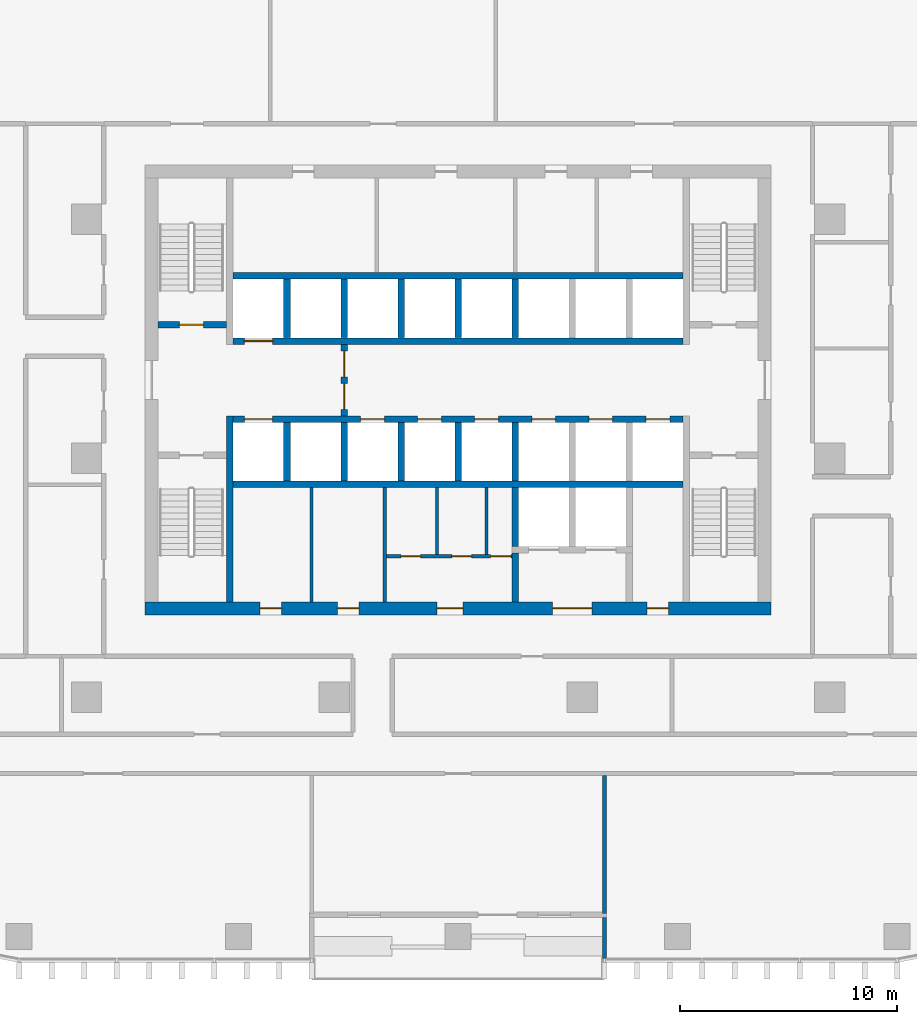
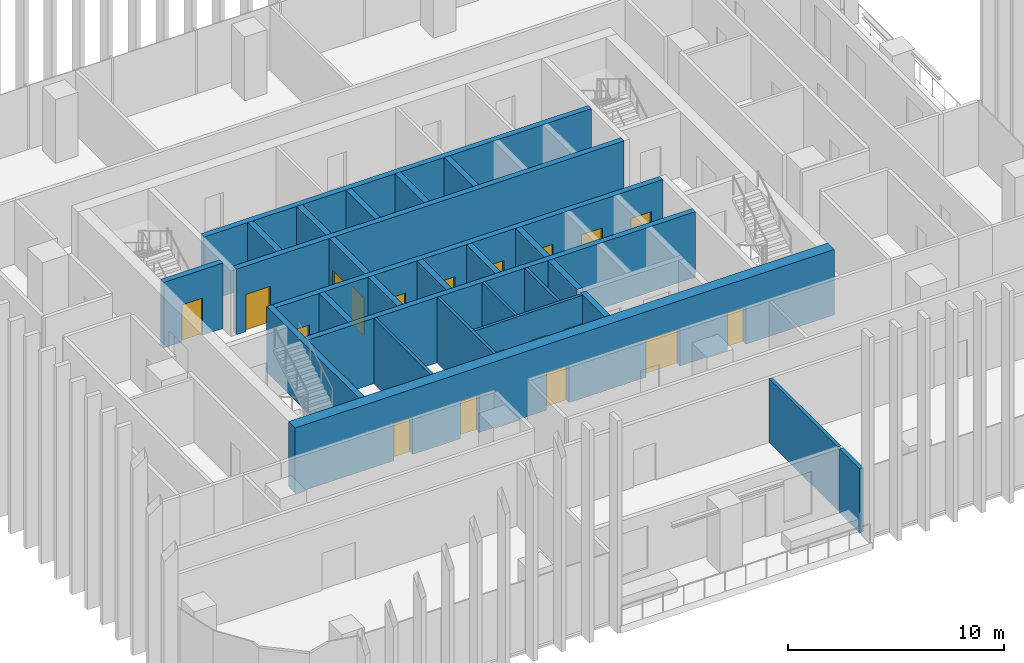
# One storey, part 8 of 15: 27 walls, 19 doors, 19 openings.
"""IFC4 building model written with IfcOpenShell, lengths in metres."""

from ifc_helpers import new_model, si_unit, direction, frame, frame_2d, origin, place, context, subcontext, project, spatial, rectangle, extrude, material, layer, layer_set, type_object, element, fill, save


model = new_model("IFC4")

# Units and contexts
model_context = context("Model", 3, precision=1e-05, world=origin(), true_north=direction((0.0, 1.0)))
body_context = subcontext(model_context, "Body", "Model", "MODEL_VIEW")
ifc_project = project(units=[si_unit("LENGTHUNIT", "METRE"), si_unit("AREAUNIT", "SQUARE_METRE"), si_unit("VOLUMEUNIT", "CUBIC_METRE"), si_unit("PLANEANGLEUNIT", "RADIAN"), si_unit("MASSUNIT", "GRAM", prefix="KILO")], contexts=[model_context])

# Site, building, storey
site_placement = place(None, origin())
site = spatial("IfcSite", under=ifc_project, at=site_placement, CompositionType="ELEMENT")
building_placement = place(site_placement, origin())
building = spatial("IfcBuilding", under=site, at=building_placement, Name="Mopane Tessera Tower", CompositionType="ELEMENT")
storey_placement = place(building_placement, frame((0.0, 0.0, 169.0)))
storey = spatial("IfcBuildingStorey", under=building, at=storey_placement, Name="L34", CompositionType="ELEMENT", Elevation=169.0)

# Walls
ifc_material_1 = material(Name="Fire-rated gypsum board partition")
ifc_layer_1 = layer(ifc_material_1, 0.14990234375)
ifc_layer_set_1 = layer_set([ifc_layer_1], Name="Fire-rated gypsum board partition")
wall_type_1 = type_object("IfcWallType", Name="Core room partition 150 mm", PredefinedType="PARTITIONING", material=ifc_layer_set_1)
for number, where, z_axis, x_axis, name in (
    (1, (-6.75, -6.60009765625, 0.0), (0.0, 0.0, 1.0), (0.0, 1.0, 0.0), "L34 Room partition"),
    (2, (-3.375, -6.60009765625, 0.0), (0.0, 0.0, 1.0), (0.0, 1.0, 0.0), "L34 Room partition"),
):
    element("IfcWall", number, at=place(storey_placement, frame(where, z_axis=z_axis, x_axis=x_axis)), inside=storey, type_object=wall_type_1, Name=name, PredefinedType="PARTITIONING", context=body_context, shape_type="SweptSolid", body=[
        extrude(rectangle(XDim=5.25, YDim=0.14990234375, at=frame_2d((2.625, 0.0))), origin(), (0.0, 0.0, 1.0), 3.699951171875),
    ])

# Wall, openings, doors
wall_1_placement = place(storey_placement, frame((-3.300048828125, -4.5, 0.0), z_axis=(0.0, 0.0, 1.0), x_axis=(1.0, 0.0, 0.0)))
wall_1 = element("IfcWall", 3, at=wall_1_placement, inside=storey, type_object=wall_type_1, Name="L34 WC partition", PredefinedType="PARTITIONING", context=body_context, shape_type="SweptSolid", body=[
    extrude(rectangle(XDim=5.775146484375, YDim=0.14990234375, at=frame_2d((2.8876953125, 0.0))), origin(), (0.0, 0.0, 1.0), 3.699951171875),
])
opening_1_placement = place(wall_1_placement, frame((0.675048828125, 0.0, 0.0)))
opening_1 = element("IfcOpeningElement", 4, at=opening_1_placement, cuts=wall_1, Name="Opening WD1", PredefinedType="OPENING", context=body_context, shape_type="SweptSolid", body=[
    extrude(rectangle(XDim=0.89990234375, YDim=2.10009765625, at=frame_2d((0.449951171875, 1.050048828125))), frame((0.0, 0.0869140625, 0.0), z_axis=(0.0, -1.0, 0.0), x_axis=(1.0, 0.0, 0.0)), (0.0, 0.0, 1.0), 0.173828125),
])
opening_2_placement = place(wall_1_placement, frame((3.014892578125, 0.0, 0.0)))
opening_2 = element("IfcOpeningElement", 5, at=opening_2_placement, cuts=wall_1, Name="Opening WD1", PredefinedType="OPENING", context=body_context, shape_type="SweptSolid", body=[
    extrude(rectangle(XDim=0.89990234375, YDim=2.10009765625, at=frame_2d((0.449951171875, 1.050048828125))), frame((0.0, 0.0869140625, 0.0), z_axis=(0.0, -1.0, 0.0), x_axis=(1.0, 0.0, 0.0)), (0.0, 0.0, 1.0), 0.173828125),
])
opening_3_placement = place(wall_1_placement, frame((4.7900390625, 0.0, 0.0)))
opening_3 = element("IfcOpeningElement", 6, at=opening_3_placement, cuts=wall_1, Name="Opening WD2", PredefinedType="OPENING", context=body_context, shape_type="SweptSolid", body=[
    extrude(rectangle(XDim=0.949951171875, YDim=2.10009765625, at=frame_2d((0.47509765625, 1.050048828125))), frame((0.0, 0.0869140625, 0.0), z_axis=(0.0, -1.0, 0.0), x_axis=(1.0, 0.0, 0.0)), (0.0, 0.0, 1.0), 0.173828125),
])
ifc_material_2 = material(Name="Timber door", Category="wood")
door_type_1 = type_object("IfcDoorType", Name="Accessible WC door 950 x 2100", OperationType="SINGLE_SWING_LEFT", PredefinedType="DOOR", material=ifc_material_2)
door_1_placement = place(opening_3_placement, origin())
door_1 = element("IfcDoor", 7, at=door_1_placement, inside=storey, type_object=door_type_1, Name="L34 Accessible WC door", OperationType="SINGLE_SWING_LEFT", OverallHeight=2.10009765625, OverallWidth=0.949951171875, PredefinedType="DOOR", context=body_context, shape_type="SweptSolid", body=[
    extrude(rectangle(XDim=0.949951171875, YDim=2.10009765625, at=frame_2d((0.47509765625, 1.050048828125))), frame((0.0, 0.02490234375, 0.0), z_axis=(0.0, -1.0, 0.0), x_axis=(1.0, 0.0, 0.0)), (0.0, 0.0, 1.0), 0.050048828125),
])
fill(opening_3, door_1)
ifc_material_3 = material(Name="Timber door", Category="wood")
door_type_2 = type_object("IfcDoorType", Name="WC cubicle door 900 x 2100", OperationType="SINGLE_SWING_LEFT", PredefinedType="DOOR", material=ifc_material_3)
door_2_placement = place(opening_1_placement, origin())
door_2 = element("IfcDoor", 8, at=door_2_placement, inside=storey, type_object=door_type_2, Name="L34 Men's WC door", OperationType="SINGLE_SWING_LEFT", OverallHeight=2.10009765625, OverallWidth=0.89990234375, PredefinedType="DOOR", context=body_context, shape_type="SweptSolid", body=[
    extrude(rectangle(XDim=0.89990234375, YDim=2.10009765625, at=frame_2d((0.449951171875, 1.050048828125))), frame((0.0, 0.02490234375, 0.0), z_axis=(0.0, -1.0, 0.0), x_axis=(1.0, 0.0, 0.0)), (0.0, 0.0, 1.0), 0.050048828125),
])
fill(opening_1, door_2)
door_3_placement = place(opening_2_placement, origin())
door_3 = element("IfcDoor", 9, at=door_3_placement, inside=storey, type_object=door_type_2, Name="L34 Women's WC door", OperationType="SINGLE_SWING_LEFT", OverallHeight=2.10009765625, OverallWidth=0.89990234375, PredefinedType="DOOR", context=body_context, shape_type="SweptSolid", body=[
    extrude(rectangle(XDim=0.89990234375, YDim=2.10009765625, at=frame_2d((0.449951171875, 1.050048828125))), frame((0.0, 0.02490234375, 0.0), z_axis=(0.0, -1.0, 0.0), x_axis=(1.0, 0.0, 0.0)), (0.0, 0.0, 1.0), 0.050048828125),
])
fill(opening_2, door_3)

# Walls
for number, where, z_axis, x_axis, name in (
    (10, (-0.97509765625, -4.425048828125, 0.0), (0.0, 0.0, 1.0), (0.0, 1.0, 0.0), "L34 WC partition"),
    (11, (1.304931640625, -4.425048828125, 0.0), (0.0, 0.0, 1.0), (0.0, 1.0, 0.0), "L34 WC partition"),
):
    element("IfcWall", number, at=place(storey_placement, frame(where, z_axis=z_axis, x_axis=x_axis)), inside=storey, type_object=wall_type_1, Name=name, PredefinedType="PARTITIONING", context=body_context, shape_type="SweptSolid", body=[
        extrude(rectangle(XDim=3.074951171875, YDim=0.14990234375, at=frame_2d((1.53759765625, 0.0))), origin(), (0.0, 0.0, 1.0), 3.699951171875),
    ])

# Wall, openings, doors
ifc_material_4 = material(Name="Concrete C70/85", Category="concrete")
ifc_layer_2 = layer(ifc_material_4, 0.60009765625)
ifc_layer_set_2 = layer_set([ifc_layer_2], Name="Concrete C70/85")
wall_type_2 = type_object("IfcWallType", Name="Core shear wall 600 mm", PredefinedType="SHEAR", material=ifc_layer_set_2)
wall_2_placement = place(storey_placement, frame((-14.39990234375, -6.89990234375, 0.0), z_axis=(0.0, 0.0, 1.0), x_axis=(1.0, 0.0, 0.0)))
wall_2 = element("IfcWall", 12, at=wall_2_placement, inside=storey, type_object=wall_type_2, Name="L34 Core wall south", PredefinedType="SHEAR", context=body_context, shape_type="SweptSolid", body=[
    extrude(rectangle(XDim=28.7998046875, YDim=0.60009765625, at=frame_2d((14.39990234375, 0.0))), origin(), (0.0, 0.0, 1.0), 3.699951171875),
])
opening_4_placement = place(wall_2_placement, frame((5.27490234375, 0.0, 0.0)))
opening_4 = element("IfcOpeningElement", 13, at=opening_4_placement, cuts=wall_2, Name="Opening RD1", PredefinedType="OPENING", context=body_context, shape_type="SweptSolid", body=[
    extrude(rectangle(XDim=1.0, YDim=2.10009765625, at=frame_2d((0.5, 1.050048828125))), frame((0.0, 0.31201171875, 0.0), z_axis=(0.0, -1.0, 0.0), x_axis=(1.0, 0.0, 0.0)), (0.0, 0.0, 1.0), 0.6240234375),
])
opening_5_placement = place(wall_2_placement, frame((8.83740234375, 0.0, 0.0)))
opening_5 = element("IfcOpeningElement", 14, at=opening_5_placement, cuts=wall_2, Name="Opening RD1", PredefinedType="OPENING", context=body_context, shape_type="SweptSolid", body=[
    extrude(rectangle(XDim=1.0, YDim=2.10009765625, at=frame_2d((0.5, 1.050048828125))), frame((0.0, 0.31201171875, 0.0), z_axis=(0.0, -1.0, 0.0), x_axis=(1.0, 0.0, 0.0)), (0.0, 0.0, 1.0), 0.6240234375),
])
opening_6_placement = place(wall_2_placement, frame((13.425048828125, 0.0, 0.0)))
opening_6 = element("IfcOpeningElement", 15, at=opening_6_placement, cuts=wall_2, Name="Opening WD3", PredefinedType="OPENING", context=body_context, shape_type="SweptSolid", body=[
    extrude(rectangle(XDim=1.199951171875, YDim=2.10009765625, at=frame_2d((0.60009765625, 1.050048828125))), frame((0.0, 0.31201171875, 0.0), z_axis=(0.0, -1.0, 0.0), x_axis=(1.0, 0.0, 0.0)), (0.0, 0.0, 1.0), 0.6240234375),
])
opening_7_placement = place(wall_2_placement, frame((18.75, 0.0, 0.0)))
opening_7 = element("IfcOpeningElement", 16, at=opening_7_placement, cuts=wall_2, Name="Opening SD2", PredefinedType="OPENING", context=body_context, shape_type="SweptSolid", body=[
    extrude(rectangle(XDim=1.800048828125, YDim=2.10009765625, at=frame_2d((0.89990234375, 1.050048828125))), frame((0.0, 0.31201171875, 0.0), z_axis=(0.0, -1.0, 0.0), x_axis=(1.0, 0.0, 0.0)), (0.0, 0.0, 1.0), 0.6240234375),
])
opening_8_placement = place(wall_2_placement, frame((23.08740234375, 0.0, 0.0)))
opening_8 = element("IfcOpeningElement", 17, at=opening_8_placement, cuts=wall_2, Name="Opening RD1", PredefinedType="OPENING", context=body_context, shape_type="SweptSolid", body=[
    extrude(rectangle(XDim=1.0, YDim=2.10009765625, at=frame_2d((0.5, 1.050048828125))), frame((0.0, 0.31201171875, 0.0), z_axis=(0.0, -1.0, 0.0), x_axis=(1.0, 0.0, 0.0)), (0.0, 0.0, 1.0), 0.6240234375),
])
ifc_material_5 = material(Name="Steel fire door", Category="steel")
door_type_3 = type_object("IfcDoorType", Name="Core entrance double door 1800 x 2100", OperationType="DOUBLE_DOOR_SINGLE_SWING", PredefinedType="DOOR", material=ifc_material_5)
door_4_placement = place(opening_7_placement, origin())
door_4 = element("IfcDoor", 18, at=door_4_placement, inside=storey, type_object=door_type_3, Name="L34 Service lobby door", OperationType="DOUBLE_DOOR_SINGLE_SWING", OverallHeight=2.10009765625, OverallWidth=1.800048828125, PredefinedType="DOOR", context=body_context, shape_type="SweptSolid", body=[
    extrude(rectangle(XDim=1.800048828125, YDim=2.10009765625, at=frame_2d((0.89990234375, 1.050048828125))), frame((0.0, 0.02490234375, 0.0), z_axis=(0.0, -1.0, 0.0), x_axis=(1.0, 0.0, 0.0)), (0.0, 0.0, 1.0), 0.050048828125),
])
fill(opening_7, door_4)
ifc_material_6 = material(Name="Timber door", Category="wood")
door_type_4 = type_object("IfcDoorType", Name="Core room door 1000 x 2100", OperationType="SINGLE_SWING_LEFT", PredefinedType="DOOR", material=ifc_material_6)
door_5_placement = place(opening_4_placement, origin())
door_5 = element("IfcDoor", 19, at=door_5_placement, inside=storey, type_object=door_type_4, Name="L34 Room door", OperationType="SINGLE_SWING_LEFT", OverallHeight=2.10009765625, OverallWidth=1.0, PredefinedType="DOOR", context=body_context, shape_type="SweptSolid", body=[
    extrude(rectangle(XDim=1.0, YDim=2.10009765625, at=frame_2d((0.5, 1.050048828125))), frame((0.0, 0.02490234375, 0.0), z_axis=(0.0, -1.0, 0.0), x_axis=(1.0, 0.0, 0.0)), (0.0, 0.0, 1.0), 0.050048828125),
])
fill(opening_4, door_5)
door_6_placement = place(opening_5_placement, origin())
door_6 = element("IfcDoor", 20, at=door_6_placement, inside=storey, type_object=door_type_4, Name="L34 Room door", OperationType="SINGLE_SWING_LEFT", OverallHeight=2.10009765625, OverallWidth=1.0, PredefinedType="DOOR", context=body_context, shape_type="SweptSolid", body=[
    extrude(rectangle(XDim=1.0, YDim=2.10009765625, at=frame_2d((0.5, 1.050048828125))), frame((0.0, 0.02490234375, 0.0), z_axis=(0.0, -1.0, 0.0), x_axis=(1.0, 0.0, 0.0)), (0.0, 0.0, 1.0), 0.050048828125),
])
fill(opening_5, door_6)
door_7_placement = place(opening_8_placement, origin())
door_7 = element("IfcDoor", 21, at=door_7_placement, inside=storey, type_object=door_type_4, Name="L34 Room door", OperationType="SINGLE_SWING_LEFT", OverallHeight=2.10009765625, OverallWidth=1.0, PredefinedType="DOOR", context=body_context, shape_type="SweptSolid", body=[
    extrude(rectangle(XDim=1.0, YDim=2.10009765625, at=frame_2d((0.5, 1.050048828125))), frame((0.0, 0.02490234375, 0.0), z_axis=(0.0, -1.0, 0.0), x_axis=(1.0, 0.0, 0.0)), (0.0, 0.0, 1.0), 0.050048828125),
])
fill(opening_8, door_7)
ifc_material_7 = material(Name="Timber door", Category="wood")
door_type_5 = type_object("IfcDoorType", Name="WC lobby door 1200 x 2100", OperationType="SINGLE_SWING_LEFT", PredefinedType="DOOR", material=ifc_material_7)
door_8_placement = place(opening_6_placement, origin())
door_8 = element("IfcDoor", 22, at=door_8_placement, inside=storey, type_object=door_type_5, Name="L34 WC lobby door", OperationType="SINGLE_SWING_LEFT", OverallHeight=2.10009765625, OverallWidth=1.199951171875, PredefinedType="DOOR", context=body_context, shape_type="SweptSolid", body=[
    extrude(rectangle(XDim=1.199951171875, YDim=2.10009765625, at=frame_2d((0.60009765625, 1.050048828125))), frame((0.0, 0.02490234375, 0.0), z_axis=(0.0, -1.0, 0.0), x_axis=(1.0, 0.0, 0.0)), (0.0, 0.0, 1.0), 0.050048828125),
])
fill(opening_6, door_8)

# Walls
ifc_material_8 = material(Name="Concrete C60/75", Category="concrete")
ifc_layer_3 = layer(ifc_material_8, 0.300048828125)
ifc_layer_set_3 = layer_set([ifc_layer_3], Name="Concrete C60/75")
wall_type_3 = type_object("IfcWallType", Name="Core spine wall 300 mm", PredefinedType="SHEAR", material=ifc_layer_set_3)
wall_3_placement = place(storey_placement, frame((-10.5, -6.60009765625, 0.0), z_axis=(0.0, 0.0, 1.0), x_axis=(0.0, 1.0, 0.0)))
element("IfcWall", 23, at=wall_3_placement, inside=storey, type_object=wall_type_3, Name="L34 Core spine wall", PredefinedType="SHEAR", context=body_context, shape_type="SweptSolid", body=[
    extrude(rectangle(XDim=8.550048828125, YDim=0.300048828125, at=frame_2d((4.27490234375, 0.0))), origin(), (0.0, 0.0, 1.0), 3.699951171875),
])
ifc_material_9 = material(Name="Gypsum board on staggered steel studs, double layer each face, acoustic mineral wool infill", Category="steel")
ifc_layer_4 = layer(ifc_material_9, 0.175048828125)
ifc_layer_set_4 = layer_set([ifc_layer_4], Name="Gypsum board on staggered steel studs, double layer each face, acoustic mineral wool infill")
wall_type_4 = type_object("IfcWallType", Name="Gypsum board acoustic partition 175, rated EI 60", PredefinedType="PARTITIONING", material=ifc_layer_set_4)
wall_4_placement = place(storey_placement, frame((6.735107421875, -20.949951171875, 0.0), z_axis=(0.0, 0.0, 1.0), x_axis=(0.0, 1.0, 0.0)))
element("IfcWall", 24, at=wall_4_placement, inside=storey, type_object=wall_type_4, Name="Partition L34:042", PredefinedType="PARTITIONING", context=body_context, shape_type="SweptSolid", body=[
    extrude(rectangle(XDim=6.349853515625, YDim=0.175048828125, at=frame_2d((3.1748046875, 0.0))), origin(), (0.0, 0.0, 1.0), 3.60009765625),
])

# Wall, opening, door
ifc_material_10 = material(Name="Concrete C50/60", Category="concrete")
ifc_layer_5 = layer(ifc_material_10, 0.300048828125)
ifc_layer_set_5 = layer_set([ifc_layer_5], Name="Concrete C50/60")
wall_type_5 = type_object("IfcWallType", Name="Lift and stair shaft wall 300 mm", PredefinedType="SOLIDWALL", material=ifc_layer_set_5)
wall_5_placement = place(storey_placement, frame((-13.800048828125, 6.14990234375, 0.0), z_axis=(0.0, 0.0, 1.0), x_axis=(1.0, 0.0, 0.0)))
wall_5 = element("IfcWall", 25, at=wall_5_placement, inside=storey, type_object=wall_type_5, Name="L34 Stair enclosure wall", PredefinedType="SOLIDWALL", context=body_context, shape_type="SweptSolid", body=[
    extrude(rectangle(XDim=3.150146484375, YDim=0.300048828125, at=frame_2d((1.5751953125, 0.0))), origin(), (0.0, 0.0, 1.0), 3.699951171875),
])
opening_9_placement = place(wall_5_placement, frame((0.97509765625, 0.0, 0.0)))
opening_9 = element("IfcOpeningElement", 26, at=opening_9_placement, cuts=wall_5, Name="Opening SD1", PredefinedType="OPENING", context=body_context, shape_type="SweptSolid", body=[
    extrude(rectangle(XDim=1.10009765625, YDim=2.10009765625, at=frame_2d((0.550048828125, 1.050048828125))), frame((0.0, 0.162109375, 0.0), z_axis=(0.0, -1.0, 0.0), x_axis=(1.0, 0.0, 0.0)), (0.0, 0.0, 1.0), 0.323974609375),
])
ifc_material_11 = material(Name="Steel fire door", Category="steel")
door_type_6 = type_object("IfcDoorType", Name="Stair fire door 1100 x 2100", OperationType="SINGLE_SWING_LEFT", PredefinedType="DOOR", material=ifc_material_11)
door_9_placement = place(opening_9_placement, origin())
door_9 = element("IfcDoor", 27, at=door_9_placement, inside=storey, type_object=door_type_6, Name="L34 Stair door ST2", OperationType="SINGLE_SWING_LEFT", OverallHeight=2.10009765625, OverallWidth=1.10009765625, PredefinedType="DOOR", context=body_context, shape_type="SweptSolid", body=[
    extrude(rectangle(XDim=1.10009765625, YDim=2.10009765625, at=frame_2d((0.550048828125, 1.050048828125))), frame((0.0, 0.02490234375, 0.0), z_axis=(0.0, -1.0, 0.0), x_axis=(1.0, 0.0, 0.0)), (0.0, 0.0, 1.0), 0.050048828125),
])
fill(opening_9, door_9)

# Wall
wall_6_placement = place(storey_placement, frame((-10.35009765625, -1.199951171875, 0.0), z_axis=(0.0, 0.0, 1.0), x_axis=(1.0, 0.0, 0.0)))
element("IfcWall", 28, at=wall_6_placement, inside=storey, type_object=wall_type_5, Name="L34 Lift shaft rear wall", PredefinedType="SOLIDWALL", context=body_context, shape_type="SweptSolid", body=[
    extrude(rectangle(XDim=20.7001953125, YDim=0.300048828125, at=frame_2d((10.35009765625, 0.0))), origin(), (0.0, 0.0, 1.0), 3.699951171875),
])

# Wall, openings, doors
wall_7_placement = place(storey_placement, frame((-10.35009765625, 1.800048828125, 0.0), z_axis=(0.0, 0.0, 1.0), x_axis=(1.0, 0.0, 0.0)))
wall_7 = element("IfcWall", 29, at=wall_7_placement, inside=storey, type_object=wall_type_5, Name="L34 Lift shaft front wall", PredefinedType="SOLIDWALL", context=body_context, shape_type="SweptSolid", body=[
    extrude(rectangle(XDim=20.7001953125, YDim=0.300048828125, at=frame_2d((10.35009765625, 0.0))), origin(), (0.0, 0.0, 1.0), 3.699951171875),
])
opening_10_placement = place(wall_7_placement, frame((0.512451171875, 0.0, 0.0)))
opening_10 = element("IfcOpeningElement", 30, at=opening_10_placement, cuts=wall_7, Name="Opening LD2", PredefinedType="OPENING", context=body_context, shape_type="SweptSolid", body=[
    extrude(rectangle(XDim=1.300048828125, YDim=2.10009765625, at=frame_2d((0.64990234375, 1.050048828125))), frame((0.0, 0.162109375, 0.0), z_axis=(0.0, -1.0, 0.0), x_axis=(1.0, 0.0, 0.0)), (0.0, 0.0, 1.0), 0.323974609375),
])
opening_11_placement = place(wall_7_placement, frame((5.862548828125, 0.0, 0.0)))
opening_11 = element("IfcOpeningElement", 31, at=opening_11_placement, cuts=wall_7, Name="Opening LD", PredefinedType="OPENING", context=body_context, shape_type="SweptSolid", body=[
    extrude(rectangle(XDim=1.10009765625, YDim=2.10009765625, at=frame_2d((0.550048828125, 1.050048828125))), frame((0.0, 0.162109375, 0.0), z_axis=(0.0, -1.0, 0.0), x_axis=(1.0, 0.0, 0.0)), (0.0, 0.0, 1.0), 0.323974609375),
])
opening_12_placement = place(wall_7_placement, frame((8.487548828125, 0.0, 0.0)))
opening_12 = element("IfcOpeningElement", 32, at=opening_12_placement, cuts=wall_7, Name="Opening LD", PredefinedType="OPENING", context=body_context, shape_type="SweptSolid", body=[
    extrude(rectangle(XDim=1.10009765625, YDim=2.10009765625, at=frame_2d((0.550048828125, 1.050048828125))), frame((0.0, 0.162109375, 0.0), z_axis=(0.0, -1.0, 0.0), x_axis=(1.0, 0.0, 0.0)), (0.0, 0.0, 1.0), 0.323974609375),
])
opening_13_placement = place(wall_7_placement, frame((11.112548828125, 0.0, 0.0)))
opening_13 = element("IfcOpeningElement", 33, at=opening_13_placement, cuts=wall_7, Name="Opening LD", PredefinedType="OPENING", context=body_context, shape_type="SweptSolid", body=[
    extrude(rectangle(XDim=1.10009765625, YDim=2.10009765625, at=frame_2d((0.550048828125, 1.050048828125))), frame((0.0, 0.162109375, 0.0), z_axis=(0.0, -1.0, 0.0), x_axis=(1.0, 0.0, 0.0)), (0.0, 0.0, 1.0), 0.323974609375),
])
opening_14_placement = place(wall_7_placement, frame((13.737548828125, 0.0, 0.0)))
opening_14 = element("IfcOpeningElement", 34, at=opening_14_placement, cuts=wall_7, Name="Opening LD", PredefinedType="OPENING", context=body_context, shape_type="SweptSolid", body=[
    extrude(rectangle(XDim=1.10009765625, YDim=2.10009765625, at=frame_2d((0.550048828125, 1.050048828125))), frame((0.0, 0.162109375, 0.0), z_axis=(0.0, -1.0, 0.0), x_axis=(1.0, 0.0, 0.0)), (0.0, 0.0, 1.0), 0.323974609375),
])
opening_15_placement = place(wall_7_placement, frame((16.362548828125, 0.0, 0.0)))
opening_15 = element("IfcOpeningElement", 35, at=opening_15_placement, cuts=wall_7, Name="Opening LD", PredefinedType="OPENING", context=body_context, shape_type="SweptSolid", body=[
    extrude(rectangle(XDim=1.10009765625, YDim=2.10009765625, at=frame_2d((0.550048828125, 1.050048828125))), frame((0.0, 0.162109375, 0.0), z_axis=(0.0, -1.0, 0.0), x_axis=(1.0, 0.0, 0.0)), (0.0, 0.0, 1.0), 0.323974609375),
])
opening_16_placement = place(wall_7_placement, frame((18.987548828125, 0.0, 0.0)))
opening_16 = element("IfcOpeningElement", 36, at=opening_16_placement, cuts=wall_7, Name="Opening LD", PredefinedType="OPENING", context=body_context, shape_type="SweptSolid", body=[
    extrude(rectangle(XDim=1.10009765625, YDim=2.10009765625, at=frame_2d((0.550048828125, 1.050048828125))), frame((0.0, 0.162109375, 0.0), z_axis=(0.0, -1.0, 0.0), x_axis=(1.0, 0.0, 0.0)), (0.0, 0.0, 1.0), 0.323974609375),
])
ifc_material_12 = material(Name="Stainless steel sliding door", Category="steel")
door_type_7 = type_object("IfcDoorType", Name="Fire-fighting lift landing door 1300 x 2100", OperationType="DOUBLE_DOOR_SLIDING", PredefinedType="DOOR", material=ifc_material_12)
door_10_placement = place(opening_10_placement, origin())
door_10 = element("IfcDoor", 37, at=door_10_placement, inside=storey, type_object=door_type_7, Name="L34 Lift landing door FF1", OperationType="DOUBLE_DOOR_SLIDING", OverallHeight=2.10009765625, OverallWidth=1.300048828125, PredefinedType="DOOR", context=body_context, shape_type="SweptSolid", body=[
    extrude(rectangle(XDim=1.300048828125, YDim=2.10009765625, at=frame_2d((0.64990234375, 1.050048828125))), frame((0.0, 0.02490234375, 0.0), z_axis=(0.0, -1.0, 0.0), x_axis=(1.0, 0.0, 0.0)), (0.0, 0.0, 1.0), 0.050048828125),
])
fill(opening_10, door_10)
ifc_material_13 = material(Name="Stainless steel sliding door", Category="steel")
door_type_8 = type_object("IfcDoorType", Name="Lift landing door 1100 x 2100", OperationType="DOUBLE_DOOR_SLIDING", PredefinedType="DOOR", material=ifc_material_13)
door_11_placement = place(opening_11_placement, origin())
door_11 = element("IfcDoor", 38, at=door_11_placement, inside=storey, type_object=door_type_8, Name="L34 Lift landing door LR1", OperationType="DOUBLE_DOOR_SLIDING", OverallHeight=2.10009765625, OverallWidth=1.10009765625, PredefinedType="DOOR", context=body_context, shape_type="SweptSolid", body=[
    extrude(rectangle(XDim=1.10009765625, YDim=2.10009765625, at=frame_2d((0.550048828125, 1.050048828125))), frame((0.0, 0.02490234375, 0.0), z_axis=(0.0, -1.0, 0.0), x_axis=(1.0, 0.0, 0.0)), (0.0, 0.0, 1.0), 0.050048828125),
])
fill(opening_11, door_11)
door_12_placement = place(opening_12_placement, origin())
door_12 = element("IfcDoor", 39, at=door_12_placement, inside=storey, type_object=door_type_8, Name="L34 Lift landing door LR2", OperationType="DOUBLE_DOOR_SLIDING", OverallHeight=2.10009765625, OverallWidth=1.10009765625, PredefinedType="DOOR", context=body_context, shape_type="SweptSolid", body=[
    extrude(rectangle(XDim=1.10009765625, YDim=2.10009765625, at=frame_2d((0.550048828125, 1.050048828125))), frame((0.0, 0.02490234375, 0.0), z_axis=(0.0, -1.0, 0.0), x_axis=(1.0, 0.0, 0.0)), (0.0, 0.0, 1.0), 0.050048828125),
])
fill(opening_12, door_12)
door_13_placement = place(opening_13_placement, origin())
door_13 = element("IfcDoor", 40, at=door_13_placement, inside=storey, type_object=door_type_8, Name="L34 Lift landing door LR3", OperationType="DOUBLE_DOOR_SLIDING", OverallHeight=2.10009765625, OverallWidth=1.10009765625, PredefinedType="DOOR", context=body_context, shape_type="SweptSolid", body=[
    extrude(rectangle(XDim=1.10009765625, YDim=2.10009765625, at=frame_2d((0.550048828125, 1.050048828125))), frame((0.0, 0.02490234375, 0.0), z_axis=(0.0, -1.0, 0.0), x_axis=(1.0, 0.0, 0.0)), (0.0, 0.0, 1.0), 0.050048828125),
])
fill(opening_13, door_13)
door_14_placement = place(opening_14_placement, origin())
door_14 = element("IfcDoor", 41, at=door_14_placement, inside=storey, type_object=door_type_8, Name="L34 Lift landing door LR4", OperationType="DOUBLE_DOOR_SLIDING", OverallHeight=2.10009765625, OverallWidth=1.10009765625, PredefinedType="DOOR", context=body_context, shape_type="SweptSolid", body=[
    extrude(rectangle(XDim=1.10009765625, YDim=2.10009765625, at=frame_2d((0.550048828125, 1.050048828125))), frame((0.0, 0.02490234375, 0.0), z_axis=(0.0, -1.0, 0.0), x_axis=(1.0, 0.0, 0.0)), (0.0, 0.0, 1.0), 0.050048828125),
])
fill(opening_14, door_14)
door_15_placement = place(opening_15_placement, origin())
door_15 = element("IfcDoor", 42, at=door_15_placement, inside=storey, type_object=door_type_8, Name="L34 Lift landing door LR5", OperationType="DOUBLE_DOOR_SLIDING", OverallHeight=2.10009765625, OverallWidth=1.10009765625, PredefinedType="DOOR", context=body_context, shape_type="SweptSolid", body=[
    extrude(rectangle(XDim=1.10009765625, YDim=2.10009765625, at=frame_2d((0.550048828125, 1.050048828125))), frame((0.0, 0.02490234375, 0.0), z_axis=(0.0, -1.0, 0.0), x_axis=(1.0, 0.0, 0.0)), (0.0, 0.0, 1.0), 0.050048828125),
])
fill(opening_15, door_15)
door_16_placement = place(opening_16_placement, origin())
door_16 = element("IfcDoor", 43, at=door_16_placement, inside=storey, type_object=door_type_8, Name="L34 Lift landing door LR6", OperationType="DOUBLE_DOOR_SLIDING", OverallHeight=2.10009765625, OverallWidth=1.10009765625, PredefinedType="DOOR", context=body_context, shape_type="SweptSolid", body=[
    extrude(rectangle(XDim=1.10009765625, YDim=2.10009765625, at=frame_2d((0.550048828125, 1.050048828125))), frame((0.0, 0.02490234375, 0.0), z_axis=(0.0, -1.0, 0.0), x_axis=(1.0, 0.0, 0.0)), (0.0, 0.0, 1.0), 0.050048828125),
])
fill(opening_16, door_16)

# Wall, opening, door
wall_8_placement = place(storey_placement, frame((-10.35009765625, 5.39990234375, 0.0), z_axis=(0.0, 0.0, 1.0), x_axis=(1.0, 0.0, 0.0)))
wall_8 = element("IfcWall", 44, at=wall_8_placement, inside=storey, type_object=wall_type_5, Name="L34 Lift shaft front wall", PredefinedType="SOLIDWALL", context=body_context, shape_type="SweptSolid", body=[
    extrude(rectangle(XDim=20.7001953125, YDim=0.300048828125, at=frame_2d((10.35009765625, 0.0))), origin(), (0.0, 0.0, 1.0), 3.699951171875),
])
opening_17_placement = place(wall_8_placement, frame((0.512451171875, 0.0, 0.0)))
opening_17 = element("IfcOpeningElement", 45, at=opening_17_placement, cuts=wall_8, Name="Opening LD2", PredefinedType="OPENING", context=body_context, shape_type="SweptSolid", body=[
    extrude(rectangle(XDim=1.300048828125, YDim=2.10009765625, at=frame_2d((0.64990234375, 1.050048828125))), frame((0.0, 0.162109375, 0.0), z_axis=(0.0, -1.0, 0.0), x_axis=(1.0, 0.0, 0.0)), (0.0, 0.0, 1.0), 0.323974609375),
])
door_17_placement = place(opening_17_placement, origin())
door_17 = element("IfcDoor", 46, at=door_17_placement, inside=storey, type_object=door_type_7, Name="L34 Lift landing door FF2", OperationType="DOUBLE_DOOR_SLIDING", OverallHeight=2.10009765625, OverallWidth=1.300048828125, PredefinedType="DOOR", context=body_context, shape_type="SweptSolid", body=[
    extrude(rectangle(XDim=1.300048828125, YDim=2.10009765625, at=frame_2d((0.64990234375, 1.050048828125))), frame((0.0, 0.02490234375, 0.0), z_axis=(0.0, -1.0, 0.0), x_axis=(1.0, 0.0, 0.0)), (0.0, 0.0, 1.0), 0.050048828125),
])
fill(opening_17, door_17)

# Walls
wall_9_placement = place(storey_placement, frame((-10.35009765625, 8.39990234375, 0.0), z_axis=(0.0, 0.0, 1.0), x_axis=(1.0, 0.0, 0.0)))
element("IfcWall", 47, at=wall_9_placement, inside=storey, type_object=wall_type_5, Name="L34 Lift shaft rear wall", PredefinedType="SOLIDWALL", context=body_context, shape_type="SweptSolid", body=[
    extrude(rectangle(XDim=20.7001953125, YDim=0.300048828125, at=frame_2d((10.35009765625, 0.0))), origin(), (0.0, 0.0, 1.0), 3.699951171875),
])
for number, where, z_axis, x_axis, name in (
    (48, (-7.875, -1.050048828125, 0.0), (0.0, 0.0, 1.0), (0.0, 1.0, 0.0), "L34 Lift shaft wall"),
    (49, (-5.25, -1.050048828125, 0.0), (0.0, 0.0, 1.0), (0.0, 1.0, 0.0), "L34 Lift shaft wall"),
    (50, (-2.625, -1.050048828125, 0.0), (0.0, 0.0, 1.0), (0.0, 1.0, 0.0), "L34 Lift shaft wall"),
    (51, (0.0, -1.050048828125, 0.0), (0.0, 0.0, 1.0), (0.0, 1.0, 0.0), "L34 Lift shaft wall"),
    (52, (2.625, -1.050048828125, 0.0), (0.0, 0.0, 1.0), (0.0, 1.0, 0.0), "L34 Lift shaft wall"),
    (53, (-7.875, 5.550048828125, 0.0), (0.0, 0.0, 1.0), (0.0, 1.0, 0.0), "L34 Lift shaft wall"),
    (54, (-5.25, 5.550048828125, 0.0), (0.0, 0.0, 1.0), (0.0, 1.0, 0.0), "L34 Lift shaft wall"),
    (55, (-2.625, 5.550048828125, 0.0), (0.0, 0.0, 1.0), (0.0, 1.0, 0.0), "L34 Lift shaft wall"),
    (56, (0.0, 5.550048828125, 0.0), (0.0, 0.0, 1.0), (0.0, 1.0, 0.0), "L34 Lift shaft wall"),
    (57, (2.625, 5.550048828125, 0.0), (0.0, 0.0, 1.0), (0.0, 1.0, 0.0), "L34 Lift shaft wall"),
    (58, (2.625, -4.050048828125, 0.0), (0.0, 0.0, 1.0), (0.0, 1.0, 0.0), "L34 Lift shaft wall"),
):
    element("IfcWall", number, at=place(storey_placement, frame(where, z_axis=z_axis, x_axis=x_axis)), inside=storey, type_object=wall_type_5, Name=name, PredefinedType="SOLIDWALL", context=body_context, shape_type="SweptSolid", body=[
        extrude(rectangle(XDim=2.699951171875, YDim=0.300048828125, at=frame_2d((1.35009765625, 0.0))), origin(), (0.0, 0.0, 1.0), 3.699951171875),
    ])

# Wall, openings, doors
ifc_material_14 = material(Name="Concrete C50/60", Category="concrete")
ifc_layer_6 = layer(ifc_material_14, 0.300048828125)
ifc_layer_set_6 = layer_set([ifc_layer_6], Name="Concrete C50/60")
wall_type_6 = type_object("IfcWallType", Name="Lobby and refuge room wall 300 mm", PredefinedType="SOLIDWALL", material=ifc_layer_set_6)
wall_10_placement = place(storey_placement, frame((-5.25, 1.949951171875, 0.0), z_axis=(0.0, 0.0, 1.0), x_axis=(0.0, 1.0, 0.0)))
wall_10 = element("IfcWall", 59, at=wall_10_placement, inside=storey, type_object=wall_type_6, Name="L34 Fire-fighting lobby wall", PredefinedType="SOLIDWALL", context=body_context, shape_type="SweptSolid", body=[
    extrude(rectangle(XDim=3.300048828125, YDim=0.300048828125, at=frame_2d((1.64990234375, 0.0))), origin(), (0.0, 0.0, 1.0), 3.699951171875),
])
opening_18_placement = place(wall_10_placement, frame((0.300048828125, 0.0, 0.0)))
opening_18 = element("IfcOpeningElement", 60, at=opening_18_placement, cuts=wall_10, Name="Opening SD3", PredefinedType="OPENING", context=body_context, shape_type="SweptSolid", body=[
    extrude(rectangle(XDim=1.199951171875, YDim=2.10009765625, at=frame_2d((0.60009765625, 1.050048828125))), frame((0.0, 0.162109375, 0.0), z_axis=(0.0, -1.0, 0.0), x_axis=(1.0, 0.0, 0.0)), (0.0, 0.0, 1.0), 0.323974609375),
])
opening_19_placement = place(wall_10_placement, frame((1.800048828125, 0.0, 0.0)))
opening_19 = element("IfcOpeningElement", 61, at=opening_19_placement, cuts=wall_10, Name="Opening SD3", PredefinedType="OPENING", context=body_context, shape_type="SweptSolid", body=[
    extrude(rectangle(XDim=1.199951171875, YDim=2.10009765625, at=frame_2d((0.60009765625, 1.050048828125))), frame((0.0, 0.162109375, 0.0), z_axis=(0.0, -1.0, 0.0), x_axis=(1.0, 0.0, 0.0)), (0.0, 0.0, 1.0), 0.323974609375),
])
ifc_material_15 = material(Name="Steel fire door", Category="steel")
door_type_9 = type_object("IfcDoorType", Name="Lobby fire door 1200 x 2100", OperationType="SINGLE_SWING_LEFT", PredefinedType="DOOR", material=ifc_material_15)
door_18_placement = place(opening_18_placement, origin())
door_18 = element("IfcDoor", 62, at=door_18_placement, inside=storey, type_object=door_type_9, Name="L34 Fire-fighting lobby door", OperationType="SINGLE_SWING_LEFT", OverallHeight=2.10009765625, OverallWidth=1.199951171875, PredefinedType="DOOR", context=body_context, shape_type="SweptSolid", body=[
    extrude(rectangle(XDim=1.199951171875, YDim=2.10009765625, at=frame_2d((0.60009765625, 1.050048828125))), frame((0.0, 0.02490234375, 0.0), z_axis=(0.0, -1.0, 0.0), x_axis=(1.0, 0.0, 0.0)), (0.0, 0.0, 1.0), 0.050048828125),
])
fill(opening_18, door_18)
door_19_placement = place(opening_19_placement, origin())
door_19 = element("IfcDoor", 63, at=door_19_placement, inside=storey, type_object=door_type_9, Name="L34 Fire-fighting lobby door", OperationType="SINGLE_SWING_RIGHT", OverallHeight=2.10009765625, OverallWidth=1.199951171875, PredefinedType="DOOR", context=body_context, shape_type="SweptSolid", body=[
    extrude(rectangle(XDim=1.199951171875, YDim=2.10009765625, at=frame_2d((0.60009765625, 1.050048828125))), frame((0.0, 0.02490234375, 0.0), z_axis=(0.0, -1.0, 0.0), x_axis=(1.0, 0.0, 0.0)), (0.0, 0.0, 1.0), 0.050048828125),
])
fill(opening_19, door_19)

# Walls
wall_11_placement = place(storey_placement, frame((2.625, -6.60009765625, 0.0), z_axis=(0.0, 0.0, 1.0), x_axis=(0.0, 1.0, 0.0)))
element("IfcWall", 64, at=wall_11_placement, inside=storey, type_object=wall_type_6, Name="L34 Service lobby wall", PredefinedType="SOLIDWALL", context=body_context, shape_type="SweptSolid", body=[
    extrude(rectangle(XDim=2.25, YDim=0.300048828125, at=frame_2d((1.125, 0.0))), origin(), (0.0, 0.0, 1.0), 3.699951171875),
])
ifc_material_16 = material(Name="Blockwork with glazed tile facing", Category="masonry")
ifc_layer_7 = layer(ifc_material_16, 0.199951171875)
ifc_layer_set_7 = layer_set([ifc_layer_7], Name="Blockwork with glazed tile facing")
wall_type_7 = type_object("IfcWallType", Name="Terrace cheek wall 200", PredefinedType="STANDARD", material=ifc_layer_set_7)
wall_12_placement = place(storey_placement, frame((6.7333984375, -23.0, 0.0), z_axis=(0.0, 0.0, 1.0), x_axis=(0.0, 1.0, 0.0)))
element("IfcWall", 65, at=wall_12_placement, inside=storey, type_object=wall_type_7, Name="e:nw:L34:N2:cheekb", PredefinedType="STANDARD", context=body_context, shape_type="SweptSolid", body=[
    extrude(rectangle(XDim=1.875, YDim=0.199951171875, at=frame_2d((0.9375, 0.0))), origin(), (0.0, 0.0, 1.0), 3.60009765625),
])

save(model, "model.ifc")
